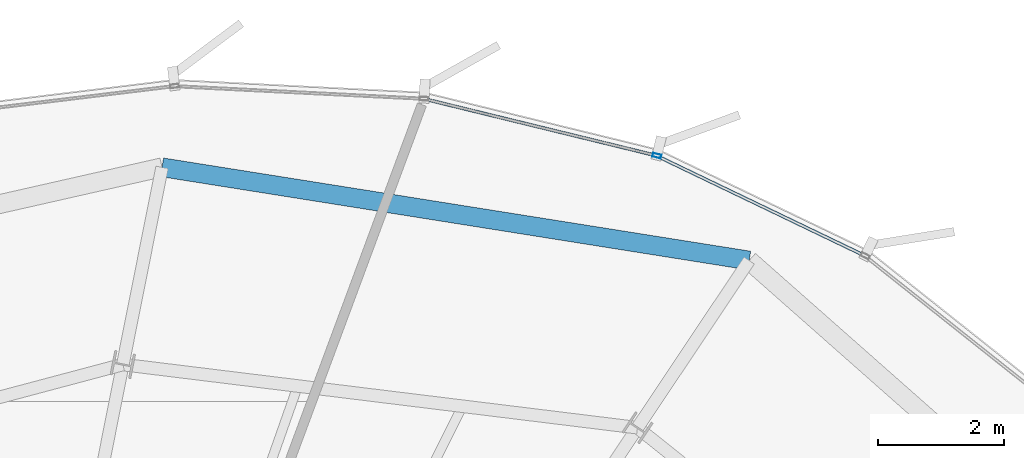
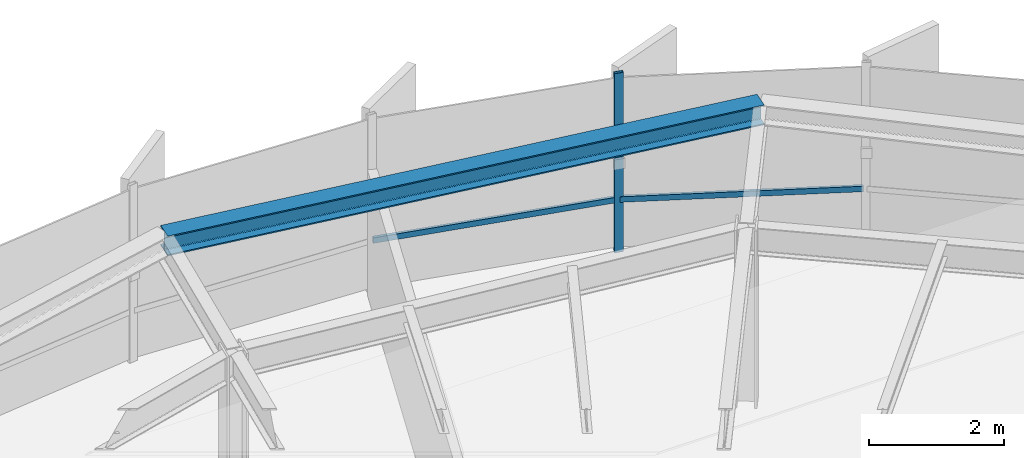
# One storey, part 26 of 34: 3 members, 1 beam, 1 element without a shape of its own.
"""IFC4 building model written with IfcOpenShell, lengths in metres."""

from ifc_helpers import new_model, si_unit, direction, frame, origin, origin_2d, place, context, subcontext, project, spatial, hollow_rectangle, i_section, extrude, source, transform, mapped, material, layer, layer_set, material_profile, profile_set, type_object, element, aggregate, save


model = new_model("IFC4")

# Units and contexts
model_context = context("Model", 3, precision=1e-05, world=origin(), true_north=direction((0.0, 1.0)))
body_context = subcontext(model_context, "Body", "Model", "MODEL_VIEW")
ifc_project = project(units=[si_unit("LENGTHUNIT", "METRE"), si_unit("AREAUNIT", "SQUARE_METRE"), si_unit("VOLUMEUNIT", "CUBIC_METRE"), si_unit("PLANEANGLEUNIT", "RADIAN"), si_unit("MASSUNIT", "GRAM", prefix="KILO"), si_unit("THERMODYNAMICTEMPERATUREUNIT", "KELVIN")], contexts=[model_context])

# Site, building, storey
site_placement = place(None, origin())
site = spatial("IfcSite", under=ifc_project, at=site_placement, CompositionType="ELEMENT")
building_placement = place(site_placement, origin())
building = spatial("IfcBuilding", under=site, at=building_placement, Name="Kethvar Cultural Tower", CompositionType="ELEMENT")
storey_placement = place(building_placement, frame((0.0, 0.0, 214.89990234375)))
storey = spatial("IfcBuildingStorey", under=building, at=storey_placement, Name="L56", CompositionType="ELEMENT", Elevation=214.89990234375)

# Beam
ifc_material_1 = material(Name="Steel S355J2", Category="steel")
ifc_material_profile_1 = material_profile(ifc_material_1, i_section(OverallWidth=0.300048828125, OverallDepth=0.360107421875, WebThickness=0.012451171875, FlangeThickness=0.0224609375, FilletRadius=0.027099609375, at=origin_2d()), Name="Steel S355J2 — HEB360")
ifc_profile_set_1 = profile_set([ifc_material_profile_1], Name="Steel S355J2 — HEB360")
beam_type = type_object("IfcBeamType", Name="BM-SP360", PredefinedType="SPANDREL", material=ifc_profile_set_1)
shared_shape_1 = source(origin(), body_context, "Body", "SweptSolid", [
    extrude(i_section(OverallWidth=0.300048828125, OverallDepth=0.360107421875, WebThickness=0.012451171875, FlangeThickness=0.0224609375, FilletRadius=0.027099609375, at=origin_2d()), origin(), (0.0, 0.0, 1.0), 9.461669921875),
])
beam_placement = place(storey_placement, frame((60.52587890625, 48.34228515625, 3.05810546875), z_axis=(-0.987629757191, 0.156803898904, 0.0), x_axis=(-0.156803898904, -0.987629757191, 0.0)))
element("IfcBeam", 1, at=beam_placement, inside=storey, type_object=beam_type, Name="L56 Perimeter Spandrel Beam SP-03", PredefinedType="SPANDREL", context=body_context, shape_type="MappedRepresentation", body=[
    mapped(shared_shape_1, transform((0.0, 0.0, 0.0), scale=1.0)),
])

# Curtain wall, members
ifc_material_2 = material(Name="Aluminium 6063-T6", Category="aluminium")
ifc_layer = layer(ifc_material_2, 0.179931640625, Name="Aluminium 6063-T6", Category="aluminium")
ifc_layer_set = layer_set([ifc_layer], Name="Aluminium 6063-T6 (180 mm)")
curtain_wall_type = type_object("IfcCurtainWallType", Name="CW-SYS-04-Z34", PredefinedType="NOTDEFINED", material=ifc_layer_set)
curtain_wall_placement = place(storey_placement, origin())
curtain_wall = element("IfcCurtainWall", 2, at=curtain_wall_placement, inside=storey, type_object=curtain_wall_type, Name="L56 Curtain Wall Run 01", PredefinedType="NOTDEFINED")
ifc_material_profile_2 = material_profile(ifc_material_2, hollow_rectangle(XDim=0.06005859375, YDim=0.139892578125, WallThickness=0.0048828125, at=origin_2d()), Name="Aluminium 6063-T6 — RHS140x60x5")
ifc_profile_set_2 = profile_set([ifc_material_profile_2], Name="Aluminium 6063-T6 — RHS140x60x5")
member_type_1 = type_object("IfcMemberType", Name="CW-SYS-04-Z34-MUL", PredefinedType="MULLION", material=ifc_profile_set_2)
shared_shape_2 = source(origin(), body_context, "Body", "SweptSolid", [
    extrude(hollow_rectangle(XDim=0.06005859375, YDim=0.139892578125, WallThickness=0.0048828125, at=origin_2d()), origin(), (0.0, 0.0, 1.0), 3.239990234375),
])
member_1_placement = place(storey_placement, frame((59.056396484375, 50.01025390625, 0.0), z_axis=(0.0, 0.0, 1.0), x_axis=(-0.237278996671, -0.971441546228, 0.0)))
member_1 = element("IfcMember", 3, at=member_1_placement, type_object=member_type_1, Name="CW-L56-R01 Mullion 3", PredefinedType="MULLION", context=body_context, shape_type="MappedRepresentation", body=[
    mapped(shared_shape_2, transform((0.0, 0.0, 0.0), scale=1.0)),
])
ifc_material_profile_3 = material_profile(ifc_material_2, hollow_rectangle(XDim=0.050048828125, YDim=0.10009765625, WallThickness=0.00390625, at=origin_2d()), Name="Aluminium 6063-T6 — RHS100x50x4")
ifc_profile_set_3 = profile_set([ifc_material_profile_3], Name="Aluminium 6063-T6 — RHS100x50x4")
member_type_2 = type_object("IfcMemberType", Name="CW-SYS-04-Z34-TRN", PredefinedType="USERDEFINED", material=ifc_profile_set_3)
shared_shape_3 = source(origin(), body_context, "Body", "SweptSolid", [
    extrude(hollow_rectangle(XDim=0.050048828125, YDim=0.10009765625, WallThickness=0.00390625, at=origin_2d()), origin(), (0.0, 0.0, 1.0), 3.615966796875),
])
member_2_placement = place(storey_placement, frame((62.33349609375, 48.434326171875, 0.9501953125), z_axis=(-0.901495662285, 0.432788136253, 0.0), x_axis=(-0.432788136253, -0.901495662285, 0.0)))
member_2 = element("IfcMember", 4, at=member_2_placement, type_object=member_type_2, Name="CW-L56-R01 Transom 2", ObjectType="TRANSOM", PredefinedType="USERDEFINED", context=body_context, shape_type="MappedRepresentation", body=[
    mapped(shared_shape_3, transform((0.0, 0.0, 0.0), scale=1.0)),
])
shared_shape_4 = source(origin(), body_context, "Body", "SweptSolid", [
    extrude(hollow_rectangle(XDim=0.050048828125, YDim=0.10009765625, WallThickness=0.00390625, at=origin_2d()), origin(), (0.0, 0.0, 1.0), 3.748046875),
])
member_3_placement = place(storey_placement, frame((59.014404296875, 50.0205078125, 0.9501953125), z_axis=(-0.971438724055, 0.237290550606, 0.0), x_axis=(-0.237290550606, -0.971438724055, 0.0)))
member_3 = element("IfcMember", 5, at=member_3_placement, type_object=member_type_2, Name="CW-L56-R01 Transom 3", ObjectType="TRANSOM", PredefinedType="USERDEFINED", context=body_context, shape_type="MappedRepresentation", body=[
    mapped(shared_shape_4, transform((0.0, 0.0, 0.0), scale=1.0)),
])
aggregate(curtain_wall, [member_1, member_2, member_3])

save(model, "model.ifc")
